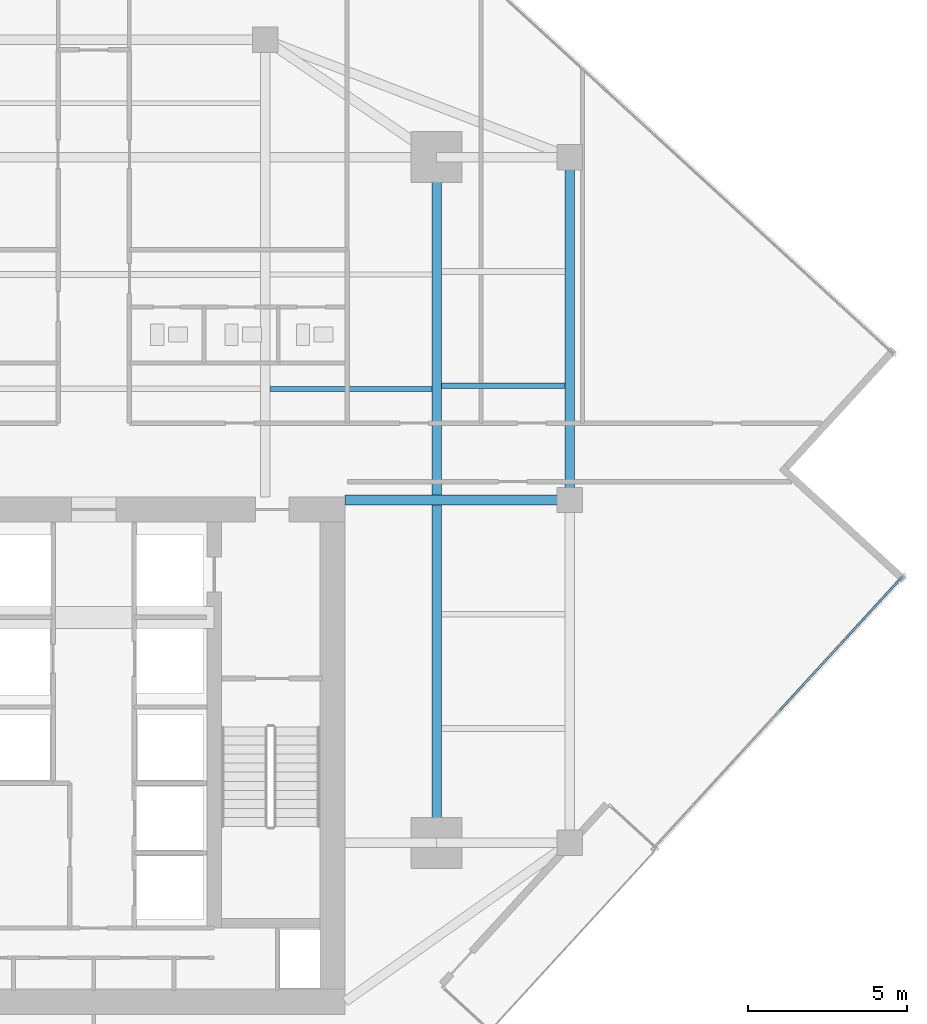
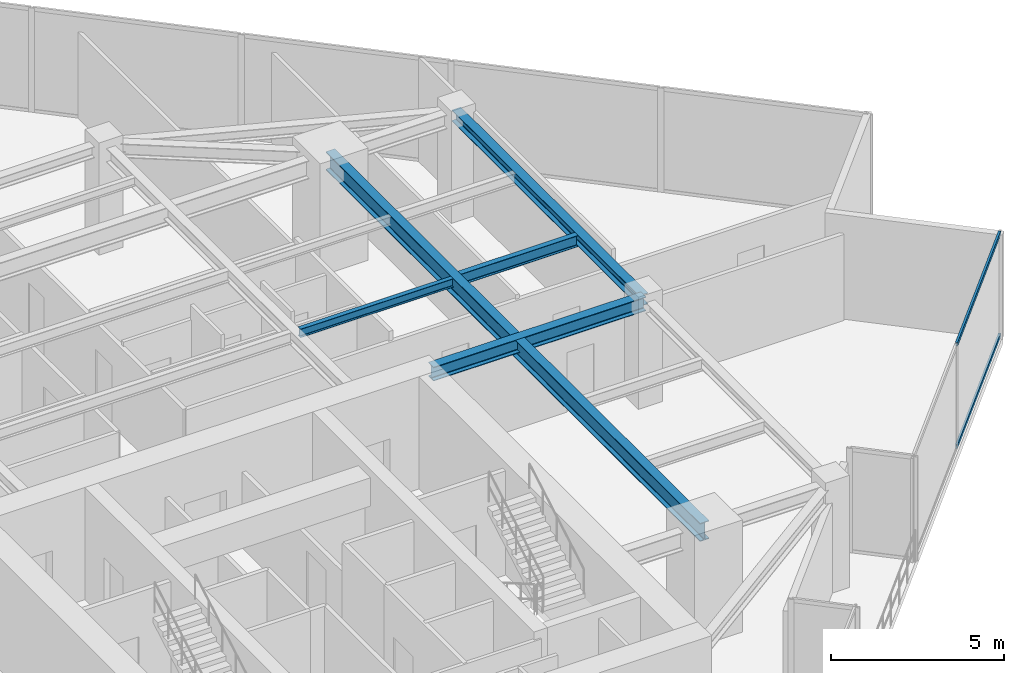
# One storey, part 12 of 26: 5 beams, 2 members, 1 element without a shape of its own.
"""IFC4 building model written with IfcOpenShell, lengths in metres."""

from ifc_helpers import new_model, si_unit, direction, frame, origin, origin_2d, place, context, subcontext, project, spatial, hollow_rectangle, i_section, extrude, source, transform, mapped, material, material_profile, profile_set, type_object, type_shapes, element, aggregate, save


model = new_model("IFC4")

# Units and contexts
model_context = context("Model", 3, precision=1e-05, world=origin(), true_north=direction((0.0, 1.0)))
body_context = subcontext(model_context, "Body", "Model", "MODEL_VIEW")
ifc_project = project(units=[si_unit("LENGTHUNIT", "METRE"), si_unit("AREAUNIT", "SQUARE_METRE"), si_unit("VOLUMEUNIT", "CUBIC_METRE"), si_unit("PLANEANGLEUNIT", "RADIAN"), si_unit("MASSUNIT", "GRAM", prefix="KILO")], contexts=[model_context])

# Site, building, storey
site_placement = place(None, origin())
site = spatial("IfcSite", under=ifc_project, at=site_placement, CompositionType="ELEMENT")
building_placement = place(site_placement, origin())
building = spatial("IfcBuilding", under=site, at=building_placement, Name="Krantzveldt Concourse Tower", CompositionType="ELEMENT")
storey_placement = place(building_placement, frame((0.0, 0.0, 219.14990234375)))
storey = spatial("IfcBuildingStorey", under=building, at=storey_placement, Name="L53", CompositionType="ELEMENT", Elevation=219.14990234375)

# Beams
ifc_material_1 = material(Name="Steel S355JR", Category="steel")
ifc_material_profile_1 = material_profile(ifc_material_1, i_section(OverallWidth=0.300048828125, OverallDepth=0.639892578125, WebThickness=0.013427734375, FlangeThickness=0.02587890625, FilletRadius=0.027099609375, at=origin_2d()), Name="Steel S355JR", Category="steel")
ifc_profile_set_1 = profile_set([ifc_material_profile_1], Name="Steel S355JR - HEA 650")
beam_type_1 = type_object("IfcBeamType", Name="BM-B-HEA650", PredefinedType="BEAM", material=ifc_profile_set_1)
shared_shape_1 = source(origin(), body_context, "Body", "SweptSolid", [
    extrude(i_section(OverallWidth=0.300048828125, OverallDepth=0.639892578125, WebThickness=0.013427734375, FlangeThickness=0.02587890625, FilletRadius=0.027099609375, at=origin_2d()), origin(), (0.0, 0.0, 1.0), 21.60009765625),
])
type_shapes(beam_type_1, [shared_shape_1])
beam_1_placement = place(storey_placement, frame((46.800048828125, 15.89990234375, 3.35009765625), z_axis=(0.0, 1.0, 0.0), x_axis=(-1.0, 0.0, 0.0)))
element("IfcBeam", 1, at=beam_1_placement, inside=storey, type_object=beam_type_1, Name="L53 Tower Girder BG-ME", PredefinedType="BEAM", context=body_context, shape_type="MappedRepresentation", body=[
    mapped(shared_shape_1, transform((0.0, 0.0, 0.0), x_axis=(1.0, 0.0, 0.0), y_axis=(0.0, 1.0, 0.0), z_axis=(0.0, 0.0, 1.0), scale=1.0)),
])
ifc_material_profile_2 = material_profile(ifc_material_1, i_section(OverallWidth=0.300048828125, OverallDepth=0.389892578125, WebThickness=0.010986328125, FlangeThickness=0.01904296875, FilletRadius=0.027099609375, at=origin_2d()), Name="Steel S355JR", Category="steel")
ifc_profile_set_2 = profile_set([ifc_material_profile_2], Name="Steel S355JR - HEA 400")
beam_type_2 = type_object("IfcBeamType", Name="BM-SP-HEA400", PredefinedType="SPANDREL", material=ifc_profile_set_2)
shared_shape_2 = source(origin(), body_context, "Body", "SweptSolid", [
    extrude(i_section(OverallWidth=0.300048828125, OverallDepth=0.389892578125, WebThickness=0.010986328125, FlangeThickness=0.01904296875, FilletRadius=0.027099609375, at=origin_2d()), origin(), (0.0, 0.0, 1.0), 10.800048828125),
])
type_shapes(beam_type_2, [shared_shape_2])
beam_2_placement = place(storey_placement, frame((51.0, 37.5, 3.47509765625), z_axis=(0.0, -1.0, 0.0), x_axis=(1.0, 0.0, 0.0)))
element("IfcBeam", 2, at=beam_2_placement, inside=storey, type_object=beam_type_2, Name="L53 Tower Girder SP-R06", PredefinedType="SPANDREL", context=body_context, shape_type="MappedRepresentation", body=[
    mapped(shared_shape_2, transform((0.0, 0.0, 0.0), x_axis=(1.0, 0.0, 0.0), y_axis=(0.0, 1.0, 0.0), z_axis=(0.0, 0.0, 1.0), scale=1.0)),
])
ifc_material_profile_3 = material_profile(ifc_material_1, i_section(OverallWidth=0.300048828125, OverallDepth=0.489990234375, WebThickness=0.011962890625, FlangeThickness=0.02294921875, FilletRadius=0.027099609375, at=origin_2d()), Name="Steel S355JR", Category="steel")
ifc_profile_set_3 = profile_set([ifc_material_profile_3], Name="Steel S355JR - HEA 500")
beam_type_3 = type_object("IfcBeamType", Name="BM-B-HEA500", PredefinedType="BEAM", material=ifc_profile_set_3)
shared_shape_3 = source(origin(), body_context, "Body", "SweptSolid", [
    extrude(i_section(OverallWidth=0.300048828125, OverallDepth=0.489990234375, WebThickness=0.011962890625, FlangeThickness=0.02294921875, FilletRadius=0.027099609375, at=origin_2d()), origin(), (0.0, 0.0, 1.0), 7.080078125),
])
type_shapes(beam_type_3, [shared_shape_3])
beam_3_placement = place(storey_placement, frame((43.919921875, 26.699951171875, 3.425048828125), z_axis=(1.0, 0.0, 0.0), x_axis=(0.0, 1.0, 0.0)))
element("IfcBeam", 3, at=beam_3_placement, inside=storey, type_object=beam_type_3, Name="L53 Tower Girder BG-CE2", PredefinedType="BEAM", context=body_context, shape_type="MappedRepresentation", body=[
    mapped(shared_shape_3, transform((0.0, 0.0, 0.0), x_axis=(1.0, 0.0, 0.0), y_axis=(0.0, 1.0, 0.0), z_axis=(0.0, 0.0, 1.0), scale=1.0)),
])
ifc_material_profile_4 = material_profile(ifc_material_1, i_section(OverallWidth=0.14990234375, OverallDepth=0.300048828125, WebThickness=0.007080078125, FlangeThickness=0.0107421875, FilletRadius=0.014892578125, at=origin_2d()), Name="Steel S355JR", Category="steel")
ifc_profile_set_4 = profile_set([ifc_material_profile_4], Name="Steel S355JR - IPE 300")
beam_type_4 = type_object("IfcBeamType", Name="BM-J-IPE300", PredefinedType="JOIST", material=ifc_profile_set_4)
shared_shape_4 = source(origin(), body_context, "Body", "SweptSolid", [
    extrude(i_section(OverallWidth=0.14990234375, OverallDepth=0.300048828125, WebThickness=0.007080078125, FlangeThickness=0.0107421875, FilletRadius=0.014892578125, at=origin_2d()), origin(), (0.0, 0.0, 1.0), 5.099853515625),
])
type_shapes(beam_type_4, [shared_shape_4])
beam_4_placement = place(storey_placement, frame((41.550048828125, 30.199951171875, 3.52001953125), z_axis=(1.0, 0.0, 0.0), x_axis=(0.0, 1.0, 0.0)))
element("IfcBeam", 4, at=beam_4_placement, inside=storey, type_object=beam_type_4, Name="L53 Secondary Floor Joist JN-E1", PredefinedType="JOIST", context=body_context, shape_type="MappedRepresentation", body=[
    mapped(shared_shape_4, transform((0.0, 0.0, 0.0), x_axis=(1.0, 0.0, 0.0), y_axis=(0.0, 1.0, 0.0), z_axis=(0.0, 0.0, 1.0), scale=1.0)),
])
ifc_material_profile_5 = material_profile(ifc_material_1, i_section(OverallWidth=0.179931640625, OverallDepth=0.39990234375, WebThickness=0.008544921875, FlangeThickness=0.013427734375, FilletRadius=0.02099609375, at=origin_2d()), Name="Steel S355JR", Category="steel")
ifc_profile_set_5 = profile_set([ifc_material_profile_5], Name="Steel S355JR - IPE 400")
beam_type_5 = type_object("IfcBeamType", Name="BM-J-IPE400", PredefinedType="JOIST", material=ifc_profile_set_5)
shared_shape_5 = source(origin(), body_context, "Body", "SweptSolid", [
    extrude(i_section(OverallWidth=0.179931640625, OverallDepth=0.39990234375, WebThickness=0.008544921875, FlangeThickness=0.013427734375, FilletRadius=0.02099609375, at=origin_2d()), origin(), (0.0, 0.0, 1.0), 3.900146484375),
])
type_shapes(beam_type_5, [shared_shape_5])
beam_5_placement = place(storey_placement, frame((46.949951171875, 30.300048828125, 3.47021484375), z_axis=(1.0, 0.0, 0.0), x_axis=(0.0, 1.0, 0.0)))
element("IfcBeam", 5, at=beam_5_placement, inside=storey, type_object=beam_type_5, Name="L53 Secondary Floor Joist JE-3", PredefinedType="JOIST", context=body_context, shape_type="MappedRepresentation", body=[
    mapped(shared_shape_5, transform((0.0, 0.0, 0.0), x_axis=(1.0, 0.0, 0.0), y_axis=(0.0, 1.0, 0.0), z_axis=(0.0, 0.0, 1.0), scale=1.0)),
])

# Curtain wall, members
ifc_material_2 = material(Name="Anodised aluminium 6063-T6", Category="aluminium")
curtain_wall_type = type_object("IfcCurtainWallType", Name="CW3", PredefinedType="USERDEFINED", material=ifc_material_2)
curtain_wall_placement = place(storey_placement, origin())
curtain_wall = element("IfcCurtainWall", 6, at=curtain_wall_placement, inside=storey, type_object=curtain_wall_type, Name="CW-L53-F11", ObjectType="UNITISED CURTAIN WALL", PredefinedType="USERDEFINED")
ifc_material_profile_6 = material_profile(ifc_material_2, hollow_rectangle(XDim=0.070068359375, YDim=0.139892578125, WallThickness=0.0048828125, at=origin_2d()), Name="Anodised aluminium 6063-T6", Category="aluminium")
ifc_profile_set_6 = profile_set([ifc_material_profile_6], Name="Anodised aluminium 6063-T6 - ALU-TRAN 140x70x5")
member_type = type_object("IfcMemberType", Name="CW-TRN-150", PredefinedType="USERDEFINED", material=ifc_profile_set_6)
shared_shape_6 = source(origin(), body_context, "Body", "SweptSolid", [
    extrude(hollow_rectangle(XDim=0.070068359375, YDim=0.139892578125, WallThickness=0.0048828125, at=origin_2d()), origin(), (0.0, 0.0, 1.0), 5.7451171875),
])
type_shapes(member_type, [shared_shape_6])
member_1_placement = place(storey_placement, frame((57.5908203125, 20.0517578125, 0.03515625), z_axis=(0.675603385152, 0.737265261606, 0.0), x_axis=(-0.737265261606, 0.675603385152, 0.0)))
member_1 = element("IfcMember", 7, at=member_1_placement, type_object=member_type, Name="CW-Z34 transom 2.1", ObjectType="TRANSOM", PredefinedType="USERDEFINED", context=body_context, shape_type="MappedRepresentation", body=[
    mapped(shared_shape_6, transform((0.0, 0.0, 0.0), x_axis=(1.0, 0.0, 0.0), y_axis=(0.0, 1.0, 0.0), z_axis=(0.0, 0.0, 1.0), scale=1.0)),
])
member_2_placement = place(storey_placement, frame((57.5908203125, 20.0517578125, 3.635009765625), z_axis=(0.675603385152, 0.737265261606, 0.0), x_axis=(-0.737265261606, 0.675603385152, 0.0)))
member_2 = element("IfcMember", 8, at=member_2_placement, type_object=member_type, Name="CW-Z34 transom 2.2", ObjectType="TRANSOM", PredefinedType="USERDEFINED", context=body_context, shape_type="MappedRepresentation", body=[
    mapped(shared_shape_6, transform((0.0, 0.0, 0.0), x_axis=(1.0, 0.0, 0.0), y_axis=(0.0, 1.0, 0.0), z_axis=(0.0, 0.0, 1.0), scale=1.0)),
])
aggregate(curtain_wall, [member_1, member_2])

save(model, "model.ifc")
